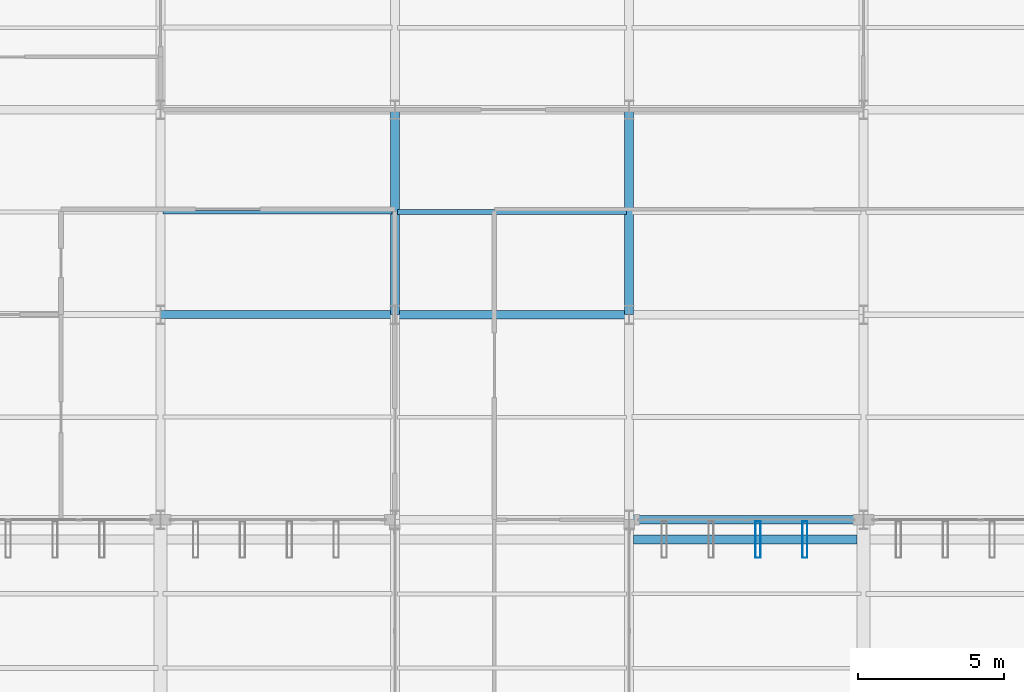
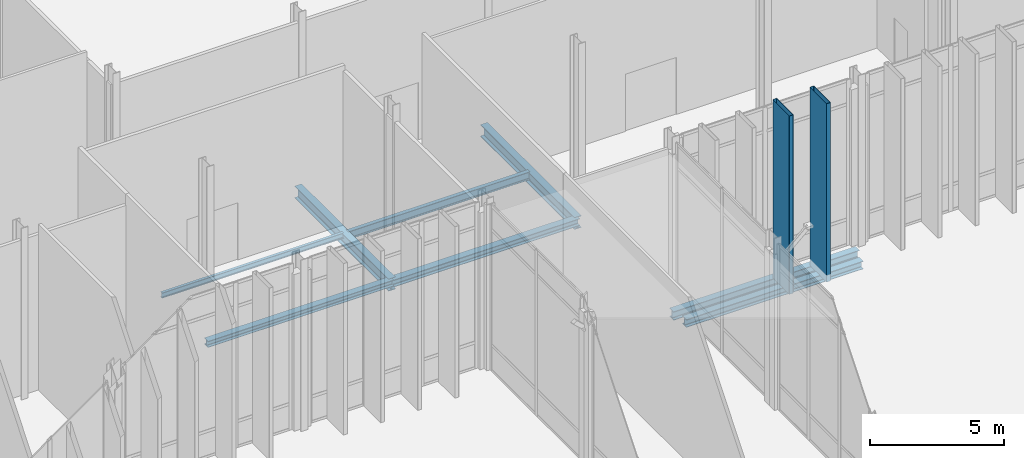
# One storey, part 51 of 176: 8 beams, 2 members.
"""IFC4 building model written with IfcOpenShell, lengths in metres."""

from ifc_helpers import new_model, si_unit, direction, frame, origin, origin_2d, place, context, subcontext, project, spatial, hollow_rectangle, i_section, extrude, material, material_profile, profile_set, type_object, element, save


model = new_model("IFC4")

# Units and contexts
model_context = context("Model", 3, precision=1e-05, world=origin(), true_north=direction((0.0, 1.0)))
body_context = subcontext(model_context, "Body", "Model", "MODEL_VIEW")
ifc_project = project(units=[si_unit("LENGTHUNIT", "METRE"), si_unit("AREAUNIT", "SQUARE_METRE"), si_unit("VOLUMEUNIT", "CUBIC_METRE"), si_unit("PLANEANGLEUNIT", "RADIAN"), si_unit("MASSUNIT", "GRAM", prefix="KILO")], contexts=[model_context])

# Site, building, storey
site_placement = place(None, origin())
site = spatial("IfcSite", under=ifc_project, at=site_placement, CompositionType="ELEMENT")
building_placement = place(site_placement, origin())
building = spatial("IfcBuilding", under=site, at=building_placement, Name="Vekula Escarpment Museum", CompositionType="ELEMENT")
storey_placement = place(building_placement, origin())
storey = spatial("IfcBuildingStorey", under=building, at=storey_placement, Name="L01", CompositionType="ELEMENT", Elevation=0.0)

# Beams
ifc_material_1 = material(Name="Steel S355", Category="steel")
ifc_material_profile_1 = material_profile(ifc_material_1, i_section(OverallWidth=0.280029296875, OverallDepth=0.280029296875, WebThickness=0.010498046875, FlangeThickness=0.01806640625, FilletRadius=0.02392578125, at=origin_2d()), Name="HEB 280")
ifc_profile_set_1 = profile_set([ifc_material_profile_1], Name="Steel S355")
beam_type_1 = type_object("IfcBeamType", Name="BM-GIRD-HEB280", PredefinedType="BEAM", material=ifc_profile_set_1)
beam_1_placement = place(storey_placement, frame((86.0, 52.60009765625, -0.43994140625), z_axis=(1.0, 0.0, 0.0), x_axis=(0.0, 1.0, 0.0)))
element("IfcBeam", 1, at=beam_1_placement, inside=storey, type_object=beam_type_1, Name="Beam X L01 0148", PredefinedType="BEAM", context=body_context, shape_type="SweptSolid", body=[
    extrude(i_section(OverallWidth=0.280029296875, OverallDepth=0.280029296875, WebThickness=0.010498046875, FlangeThickness=0.01806640625, FilletRadius=0.02392578125, at=origin_2d()), origin(), (0.0, 0.0, 1.0), 8.0),
])
ifc_material_2 = material(Name="Steel S355", Category="steel")
ifc_material_profile_2 = material_profile(ifc_material_2, i_section(OverallWidth=0.300048828125, OverallDepth=0.320068359375, WebThickness=0.011474609375, FlangeThickness=0.0205078125, FilletRadius=0.027099609375, at=origin_2d()), Name="HEB 320")
ifc_profile_set_2 = profile_set([ifc_material_profile_2], Name="Steel S355")
beam_type_2 = type_object("IfcBeamType", Name="BM-GIRD-HEB320", PredefinedType="BEAM", material=ifc_profile_set_2)
beam_2_placement = place(storey_placement, frame((94.0, 52.60009765625, -0.4599609375), z_axis=(1.0, 0.0, 0.0), x_axis=(0.0, 1.0, 0.0)))
element("IfcBeam", 2, at=beam_2_placement, inside=storey, type_object=beam_type_2, Name="Beam X L01 0149", PredefinedType="BEAM", context=body_context, shape_type="SweptSolid", body=[
    extrude(i_section(OverallWidth=0.300048828125, OverallDepth=0.320068359375, WebThickness=0.011474609375, FlangeThickness=0.0205078125, FilletRadius=0.027099609375, at=origin_2d()), origin(), (0.0, 0.0, 1.0), 8.0),
])
ifc_material_3 = material(Name="Steel S355", Category="steel")
ifc_material_profile_3 = material_profile(ifc_material_3, i_section(OverallWidth=0.300048828125, OverallDepth=0.360107421875, WebThickness=0.012451171875, FlangeThickness=0.0224609375, FilletRadius=0.027099609375, at=origin_2d()), Name="HEB 360")
ifc_profile_set_3 = profile_set([ifc_material_profile_3], Name="Steel S355")
beam_type_3 = type_object("IfcBeamType", Name="BM-GIRD-HEB360", PredefinedType="BEAM", material=ifc_profile_set_3)
beam_3_placement = place(storey_placement, frame((102.14990234375, 44.919921875, -0.47998046875), z_axis=(1.0, 0.0, 0.0), x_axis=(0.0, 1.0, 0.0)))
element("IfcBeam", 3, at=beam_3_placement, inside=storey, type_object=beam_type_3, Name="Solar Fin Sill Girder 005", PredefinedType="BEAM", context=body_context, shape_type="SweptSolid", body=[
    extrude(i_section(OverallWidth=0.300048828125, OverallDepth=0.360107421875, WebThickness=0.012451171875, FlangeThickness=0.0224609375, FilletRadius=0.027099609375, at=origin_2d()), origin(), (0.0, 0.0, 1.0), 7.625),
])
ifc_material_4 = material(Name="Steel S355", Category="steel")
ifc_material_profile_4 = material_profile(ifc_material_4, i_section(OverallWidth=0.300048828125, OverallDepth=0.550048828125, WebThickness=0.014892578125, FlangeThickness=0.029052734375, FilletRadius=0.027099609375, at=origin_2d()), Name="HEB 550")
ifc_profile_set_4 = profile_set([ifc_material_profile_4], Name="Steel S355")
beam_type_4 = type_object("IfcBeamType", Name="BM-GIRD-HEB550", PredefinedType="BEAM", material=ifc_profile_set_4)
for number, where, z_axis, x_axis, name in (
    (4, (94.0, 52.60009765625, -0.574951171875), (0.0, 1.0, 0.0), (-1.0, 0.0, 0.0), "Beam Y L01 0583"),
    (5, (102.0, 52.60009765625, -0.574951171875), (0.0, 1.0, 0.0), (-1.0, 0.0, 0.0), "Beam Y L01 0601"),
):
    element("IfcBeam", number, at=place(storey_placement, frame(where, z_axis=z_axis, x_axis=x_axis)), inside=storey, type_object=beam_type_4, Name=name, PredefinedType="BEAM", context=body_context, shape_type="SweptSolid", body=[
        extrude(i_section(OverallWidth=0.300048828125, OverallDepth=0.550048828125, WebThickness=0.014892578125, FlangeThickness=0.029052734375, FilletRadius=0.027099609375, at=origin_2d()), origin(), (0.0, 0.0, 1.0), 7.0),
    ])
ifc_material_5 = material(Name="Steel S355", Category="steel")
ifc_material_profile_5 = material_profile(ifc_material_5, i_section(OverallWidth=0.1201171875, OverallDepth=0.239990234375, WebThickness=0.006103515625, FlangeThickness=0.009765625, FilletRadius=0.014892578125, at=origin_2d()), Name="IPE 240")
ifc_profile_set_5 = profile_set([ifc_material_profile_5], Name="Steel S355")
beam_type_5 = type_object("IfcBeamType", Name="BM-JST-IPE240", PredefinedType="JOIST", material=ifc_profile_set_5)
beam_4_placement = place(storey_placement, frame((86.090087890625, 56.10009765625, -0.419921875), z_axis=(1.0, 0.0, 0.0), x_axis=(0.0, 1.0, 0.0)))
element("IfcBeam", 6, at=beam_4_placement, inside=storey, type_object=beam_type_5, Name="Secondary Joist L01 0276", PredefinedType="JOIST", context=body_context, shape_type="SweptSolid", body=[
    extrude(i_section(OverallWidth=0.1201171875, OverallDepth=0.239990234375, WebThickness=0.006103515625, FlangeThickness=0.009765625, FilletRadius=0.014892578125, at=origin_2d()), origin(), (0.0, 0.0, 1.0), 7.81982421875),
])
ifc_material_6 = material(Name="Steel S355", Category="steel")
ifc_material_profile_6 = material_profile(ifc_material_6, i_section(OverallWidth=0.169921875, OverallDepth=0.360107421875, WebThickness=0.008056640625, FlangeThickness=0.0126953125, FilletRadius=0.01806640625, at=origin_2d()), Name="IPE 360")
ifc_profile_set_6 = profile_set([ifc_material_profile_6], Name="Steel S355")
beam_type_6 = type_object("IfcBeamType", Name="BM-JST-IPE360", PredefinedType="JOIST", material=ifc_profile_set_6)
beam_5_placement = place(storey_placement, frame((94.090087890625, 56.10009765625, -0.47998046875), z_axis=(1.0, 0.0, 0.0), x_axis=(0.0, 1.0, 0.0)))
element("IfcBeam", 7, at=beam_5_placement, inside=storey, type_object=beam_type_6, Name="Secondary Joist L01 0301", PredefinedType="JOIST", context=body_context, shape_type="SweptSolid", body=[
    extrude(i_section(OverallWidth=0.169921875, OverallDepth=0.360107421875, WebThickness=0.008056640625, FlangeThickness=0.0126953125, FilletRadius=0.01806640625, at=origin_2d()), origin(), (0.0, 0.0, 1.0), 7.81982421875),
])
ifc_material_7 = material(Name="Steel S355", Category="steel")
ifc_material_profile_7 = material_profile(ifc_material_7, i_section(OverallWidth=0.300048828125, OverallDepth=0.389892578125, WebThickness=0.010986328125, FlangeThickness=0.01904296875, FilletRadius=0.027099609375, at=origin_2d()), Name="HEA 400")
ifc_profile_set_7 = profile_set([ifc_material_profile_7], Name="Steel S355")
beam_type_7 = type_object("IfcBeamType", Name="BM-SPAN-HEA400", PredefinedType="SPANDREL", material=ifc_profile_set_7)
beam_6_placement = place(storey_placement, frame((102.0, 45.60009765625, -0.4951171875), z_axis=(1.0, 0.0, 0.0), x_axis=(0.0, 1.0, 0.0)))
element("IfcBeam", 8, at=beam_6_placement, inside=storey, type_object=beam_type_7, Name="Beam X L01 0129", PredefinedType="SPANDREL", context=body_context, shape_type="SweptSolid", body=[
    extrude(i_section(OverallWidth=0.300048828125, OverallDepth=0.389892578125, WebThickness=0.010986328125, FlangeThickness=0.01904296875, FilletRadius=0.027099609375, at=origin_2d()), origin(), (0.0, 0.0, 1.0), 8.0),
])

# Members
ifc_material_8 = material(Name="Steel S355 weathered bronze solar fin", Category="steel")
ifc_material_profile_8 = material_profile(ifc_material_8, hollow_rectangle(XDim=0.179931640625, YDim=1.25, WallThickness=0.010009765625, InnerFilletRadius=0.010009765625, OuterFilletRadius=0.02001953125, at=origin_2d()), Name="RHS 1250x180x10")
ifc_profile_set_8 = profile_set([ifc_material_profile_8], Name="Steel S355 weathered bronze solar fin")
member_type = type_object("IfcMemberType", Name="MB-SOLAR-FIN", PredefinedType="USERDEFINED", material=ifc_profile_set_8)
for number, where, z_axis, x_axis, name in (
    (9, (106.39990234375, 44.919921875, -0.320068359375), (0.0, 0.0, 1.0), (1.0, 0.0, 0.0), "Great Hall Vertical Solar Fin 0076"),
    (10, (108.0, 44.919921875, -0.320068359375), (0.0, 0.0, 1.0), (1.0, 0.0, 0.0), "Great Hall Vertical Solar Fin 0081"),
):
    element("IfcMember", number, at=place(storey_placement, frame(where, z_axis=z_axis, x_axis=x_axis)), inside=storey, type_object=member_type, Name=name, ObjectType="SOLAR FIN", PredefinedType="USERDEFINED", context=body_context, shape_type="SweptSolid", body=[
        extrude(hollow_rectangle(XDim=0.179931640625, YDim=1.25, WallThickness=0.010009765625, InnerFilletRadius=0.010009765625, OuterFilletRadius=0.02001953125, at=origin_2d()), origin(), (0.0, 0.0, 1.0), 8.1201171875),
    ])

save(model, "model.ifc")
